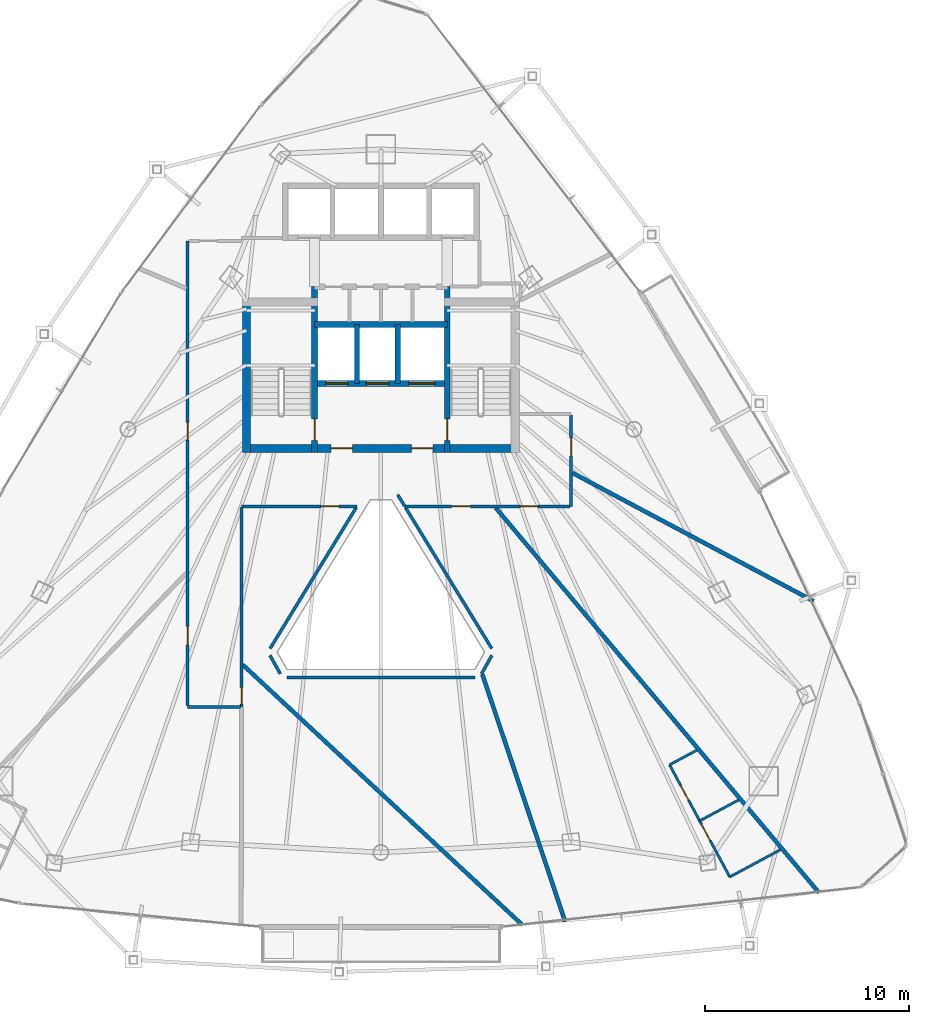
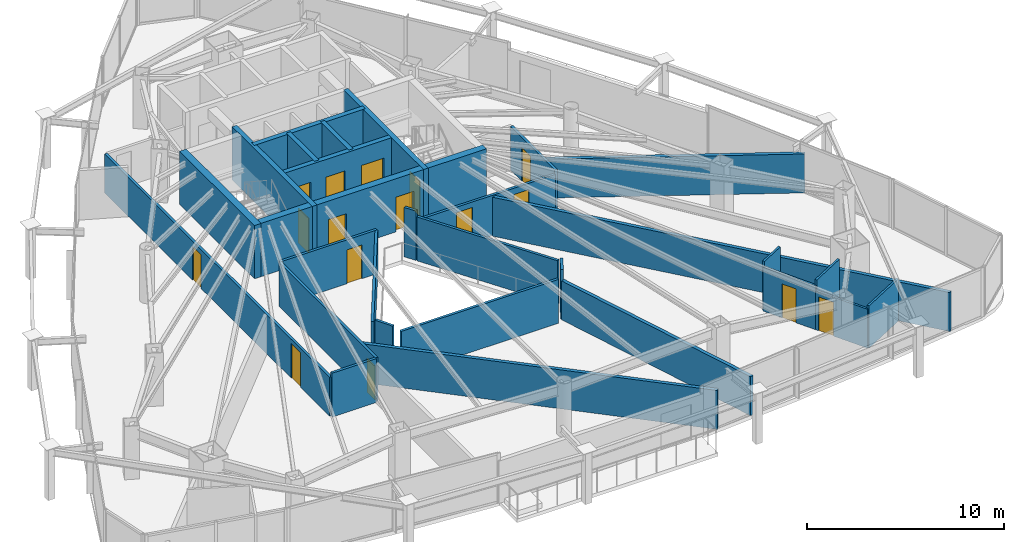
# One storey, part 27 of 31: 29 walls, 16 doors, 16 openings.
"""IFC4 building model written with IfcOpenShell, lengths in metres."""

from ifc_helpers import new_model, si_unit, direction, frame, frame_2d, origin, place, context, subcontext, project, spatial, rectangle, extrude, material, layer, layer_set, type_object, element, fill, save


model = new_model("IFC4")

# Units and contexts
model_context = context("Model", 3, precision=1e-05, world=origin(), true_north=direction((0.0, 1.0)))
body_context = subcontext(model_context, "Body", "Model", "MODEL_VIEW")
ifc_project = project(units=[si_unit("LENGTHUNIT", "METRE"), si_unit("AREAUNIT", "SQUARE_METRE"), si_unit("VOLUMEUNIT", "CUBIC_METRE"), si_unit("PLANEANGLEUNIT", "RADIAN"), si_unit("MASSUNIT", "GRAM", prefix="KILO")], contexts=[model_context])

# Site, building, storey
site_placement = place(None, origin())
site = spatial("IfcSite", under=ifc_project, at=site_placement, CompositionType="ELEMENT")
building_placement = place(site_placement, origin())
building = spatial("IfcBuilding", under=site, at=building_placement, Name="Orvanel Arch Residences", CompositionType="ELEMENT")
storey_placement = place(building_placement, frame((0.0, 0.0, 133.10009765625)))
storey = spatial("IfcBuildingStorey", under=building, at=storey_placement, Name="L37", CompositionType="ELEMENT", Elevation=133.10009765625)

# Walls
ifc_material_1 = material(Name="Concrete N50 (50 MPa)", Category="concrete")
ifc_layer_1 = layer(ifc_material_1, 0.25)
ifc_layer_set_1 = layer_set([ifc_layer_1], Name="Concrete N50 (50 MPa)")
wall_type_1 = type_object("IfcWallType", Name="SW-CORE-250", PredefinedType="SHEAR", material=ifc_layer_set_1)
for number, where, z_axis, x_axis, name in (
    (1, (31.824951171875, 29.889892578125, 0.0), (0.0, 0.0, 1.0), (0.0, 1.0, 0.0), "L37 Emergency Lift Inter-Shaft Wall F12"),
    (2, (33.824951171875, 29.889892578125, 0.0), (0.0, 0.0, 1.0), (0.0, 1.0, 0.0), "L37 Emergency Lift Inter-Shaft Wall F2G"),
):
    element("IfcWall", number, at=place(storey_placement, frame(where, z_axis=z_axis, x_axis=x_axis)), inside=storey, type_object=wall_type_1, Name=name, PredefinedType="SHEAR", context=body_context, shape_type="SweptSolid", body=[
        extrude(rectangle(XDim=2.900146484375, YDim=0.25, at=frame_2d((1.4501953125, 0.0))), origin(), (0.0, 0.0, 1.0), 3.2998046875),
    ])

# Wall, opening, door
ifc_material_2 = material(Name="Concrete S65 (65 MPa)", Category="concrete")
ifc_layer_2 = layer(ifc_material_2, 0.280029296875)
ifc_layer_set_2 = layer_set([ifc_layer_2], Name="Concrete S65 (65 MPa)")
wall_type_2 = type_object("IfcWallType", Name="SW-CORE-280", PredefinedType="SHEAR", material=ifc_layer_set_2)
wall_1_placement = place(storey_placement, frame((29.739990234375, 26.5, 0.0), z_axis=(0.0, 0.0, 1.0), x_axis=(0.0, 1.0, 0.0)))
wall_1 = element("IfcWall", 3, at=wall_1_placement, inside=storey, type_object=wall_type_2, Name="L37 West Inner Core Spine Shear Wall", PredefinedType="SHEAR", context=body_context, shape_type="SweptSolid", body=[
    extrude(rectangle(XDim=8.14990234375, YDim=0.280029296875, at=frame_2d((4.074951171875, 0.0))), origin(), (0.0, 0.0, 1.0), 3.2998046875),
])
opening_1_placement = place(wall_1_placement, frame((0.60009765625, 0.0, 0.0)))
opening_1 = element("IfcOpeningElement", 4, at=opening_1_placement, cuts=wall_1, Name="Opening DF-120", PredefinedType="OPENING", context=body_context, shape_type="SweptSolid", body=[
    extrude(rectangle(XDim=1.050048828125, YDim=2.14990234375, at=frame_2d((0.52490234375, 1.074951171875))), frame((0.0, 0.14990234375, 0.0), z_axis=(0.0, -1.0, 0.0), x_axis=(1.0, 0.0, 0.0)), (0.0, 0.0, 1.0), 0.300048828125),
])
ifc_material_3 = material(Name="Galvanised steel fire-resisting door assembly", Category="steel")
door_type_1 = type_object("IfcDoorType", Name="DR-FD120-1050", OperationType="NOTDEFINED", PredefinedType="DOOR", material=ifc_material_3)
door_1_placement = place(opening_1_placement, origin())
door_1 = element("IfcDoor", 5, at=door_1_placement, inside=storey, type_object=door_type_1, Name="DR-L37-ST1 L37 Stair 1 Fire Door", OperationType="SINGLE_SWING_LEFT", OverallHeight=2.14990234375, OverallWidth=1.050048828125, PredefinedType="DOOR", context=body_context, shape_type="SweptSolid", body=[
    extrude(rectangle(XDim=1.050048828125, YDim=2.14990234375, at=frame_2d((0.52490234375, 1.074951171875))), frame((0.0, 0.02490234375, 0.0), z_axis=(0.0, -1.0, 0.0), x_axis=(1.0, 0.0, 0.0)), (0.0, 0.0, 1.0), 0.050048828125),
])
fill(opening_1, door_1)

wall_2_placement = place(storey_placement, frame((36.260009765625, 26.5, 0.0), z_axis=(0.0, 0.0, 1.0), x_axis=(0.0, 1.0, 0.0)))
wall_2 = element("IfcWall", 6, at=wall_2_placement, inside=storey, type_object=wall_type_2, Name="L37 East Inner Core Spine Shear Wall", PredefinedType="SHEAR", context=body_context, shape_type="SweptSolid", body=[
    extrude(rectangle(XDim=8.14990234375, YDim=0.280029296875, at=frame_2d((4.074951171875, 0.0))), origin(), (0.0, 0.0, 1.0), 3.2998046875),
])
opening_2_placement = place(wall_2_placement, frame((0.60009765625, 0.0, 0.0)))
opening_2 = element("IfcOpeningElement", 7, at=opening_2_placement, cuts=wall_2, Name="Opening DF-120", PredefinedType="OPENING", context=body_context, shape_type="SweptSolid", body=[
    extrude(rectangle(XDim=1.050048828125, YDim=2.14990234375, at=frame_2d((0.52490234375, 1.074951171875))), frame((0.0, 0.14990234375, 0.0), z_axis=(0.0, -1.0, 0.0), x_axis=(1.0, 0.0, 0.0)), (0.0, 0.0, 1.0), 0.300048828125),
])
door_2_placement = place(opening_2_placement, origin())
door_2 = element("IfcDoor", 8, at=door_2_placement, inside=storey, type_object=door_type_1, Name="DR-L37-ST2 L37 Stair 2 Fire Door", OperationType="SINGLE_SWING_RIGHT", OverallHeight=2.14990234375, OverallWidth=1.050048828125, PredefinedType="DOOR", context=body_context, shape_type="SweptSolid", body=[
    extrude(rectangle(XDim=1.050048828125, YDim=2.14990234375, at=frame_2d((0.52490234375, 1.074951171875))), frame((0.0, 0.02490234375, 0.0), z_axis=(0.0, -1.0, 0.0), x_axis=(1.0, 0.0, 0.0)), (0.0, 0.0, 1.0), 0.050048828125),
])
fill(opening_2, door_2)

# Wall, openings, doors
wall_3_placement = place(storey_placement, frame((36.260009765625, 29.889892578125, 0.0), z_axis=(0.0, 0.0, 1.0), x_axis=(-1.0, 0.0, 0.0)))
wall_3 = element("IfcWall", 9, at=wall_3_placement, inside=storey, type_object=wall_type_2, Name="L37 Emergency Lift Front Core Shear Wall", PredefinedType="SHEAR", context=body_context, shape_type="SweptSolid", body=[
    extrude(rectangle(XDim=6.52001953125, YDim=0.280029296875, at=frame_2d((3.260009765625, 0.0))), origin(), (0.0, 0.0, 1.0), 3.2998046875),
])
opening_3_placement = place(wall_3_placement, frame((4.875, 0.0, 0.0)))
opening_3 = element("IfcOpeningElement", 10, at=opening_3_placement, cuts=wall_3, Name="Opening LD-110", PredefinedType="OPENING", context=body_context, shape_type="SweptSolid", body=[
    extrude(rectangle(XDim=1.10009765625, YDim=2.199951171875, at=frame_2d((0.550048828125, 1.10009765625))), frame((0.0, 0.14990234375, 0.0), z_axis=(0.0, -1.0, 0.0), x_axis=(1.0, 0.0, 0.0)), (0.0, 0.0, 1.0), 0.300048828125),
])
opening_4_placement = place(wall_3_placement, frame((2.875, 0.0, 0.0)))
opening_4 = element("IfcOpeningElement", 11, at=opening_4_placement, cuts=wall_3, Name="Opening LD-110", PredefinedType="OPENING", context=body_context, shape_type="SweptSolid", body=[
    extrude(rectangle(XDim=1.10009765625, YDim=2.199951171875, at=frame_2d((0.550048828125, 1.10009765625))), frame((0.0, 0.14990234375, 0.0), z_axis=(0.0, -1.0, 0.0), x_axis=(1.0, 0.0, 0.0)), (0.0, 0.0, 1.0), 0.300048828125),
])
opening_5_placement = place(wall_3_placement, frame((0.60009765625, 0.0, 0.0)))
opening_5 = element("IfcOpeningElement", 12, at=opening_5_placement, cuts=wall_3, Name="Opening LD-130", PredefinedType="OPENING", context=body_context, shape_type="SweptSolid", body=[
    extrude(rectangle(XDim=1.300048828125, YDim=2.199951171875, at=frame_2d((0.64990234375, 1.10009765625))), frame((0.0, 0.14990234375, 0.0), z_axis=(0.0, -1.0, 0.0), x_axis=(1.0, 0.0, 0.0)), (0.0, 0.0, 1.0), 0.300048828125),
])
door_type_2 = type_object("IfcDoorType", Name="DR-LFT-1100", OperationType="NOTDEFINED", PredefinedType="DOOR", material=ifc_material_3)
door_3_placement = place(opening_3_placement, origin())
door_3 = element("IfcDoor", 13, at=door_3_placement, inside=storey, type_object=door_type_2, Name="LD-F1-L37 L37 Lift F1 Sliding Landing Door", OperationType="DOUBLE_DOOR_SLIDING", OverallHeight=2.199951171875, OverallWidth=1.10009765625, PredefinedType="DOOR", context=body_context, shape_type="SweptSolid", body=[
    extrude(rectangle(XDim=1.10009765625, YDim=2.199951171875, at=frame_2d((0.550048828125, 1.10009765625))), frame((0.0, 0.02490234375, 0.0), z_axis=(0.0, -1.0, 0.0), x_axis=(1.0, 0.0, 0.0)), (0.0, 0.0, 1.0), 0.050048828125),
])
fill(opening_3, door_3)
door_4_placement = place(opening_4_placement, origin())
door_4 = element("IfcDoor", 14, at=door_4_placement, inside=storey, type_object=door_type_2, Name="LD-F2-L37 L37 Lift F2 Sliding Landing Door", OperationType="DOUBLE_DOOR_SLIDING", OverallHeight=2.199951171875, OverallWidth=1.10009765625, PredefinedType="DOOR", context=body_context, shape_type="SweptSolid", body=[
    extrude(rectangle(XDim=1.10009765625, YDim=2.199951171875, at=frame_2d((0.550048828125, 1.10009765625))), frame((0.0, 0.02490234375, 0.0), z_axis=(0.0, -1.0, 0.0), x_axis=(1.0, 0.0, 0.0)), (0.0, 0.0, 1.0), 0.050048828125),
])
fill(opening_4, door_4)
door_type_3 = type_object("IfcDoorType", Name="DR-LFT-1300", OperationType="NOTDEFINED", PredefinedType="DOOR", material=ifc_material_3)
door_5_placement = place(opening_5_placement, origin())
door_5 = element("IfcDoor", 15, at=door_5_placement, inside=storey, type_object=door_type_3, Name="LD-G1-L37 L37 Lift G1 Sliding Landing Door", OperationType="DOUBLE_DOOR_SLIDING", OverallHeight=2.199951171875, OverallWidth=1.300048828125, PredefinedType="DOOR", context=body_context, shape_type="SweptSolid", body=[
    extrude(rectangle(XDim=1.300048828125, YDim=2.199951171875, at=frame_2d((0.64990234375, 1.10009765625))), frame((0.0, 0.02490234375, 0.0), z_axis=(0.0, -1.0, 0.0), x_axis=(1.0, 0.0, 0.0)), (0.0, 0.0, 1.0), 0.050048828125),
])
fill(opening_5, door_5)

# Wall
wall_4_placement = place(storey_placement, frame((29.739990234375, 32.7900390625, 0.0), z_axis=(0.0, 0.0, 1.0), x_axis=(1.0, 0.0, 0.0)))
element("IfcWall", 16, at=wall_4_placement, inside=storey, type_object=wall_type_2, Name="L37 Emergency Lift Back Core Shear Wall", PredefinedType="SHEAR", context=body_context, shape_type="SweptSolid", body=[
    extrude(rectangle(XDim=6.52001953125, YDim=0.280029296875, at=frame_2d((3.260009765625, 0.0))), origin(), (0.0, 0.0, 1.0), 3.2998046875),
])

# Wall, openings, doors
ifc_layer_3 = layer(ifc_material_2, 0.39990234375)
ifc_layer_set_3 = layer_set([ifc_layer_3], Name="Concrete S65 (65 MPa)")
wall_type_3 = type_object("IfcWallType", Name="SW-CORE-400", PredefinedType="SHEAR", material=ifc_layer_set_3)
wall_5_placement = place(storey_placement, frame((26.199951171875, 26.699951171875, 0.0), z_axis=(0.0, 0.0, 1.0), x_axis=(1.0, 0.0, 0.0)))
wall_5 = element("IfcWall", 17, at=wall_5_placement, inside=storey, type_object=wall_type_3, Name="L37 South Core Shear Wall", PredefinedType="SHEAR", context=body_context, shape_type="SweptSolid", body=[
    extrude(rectangle(XDim=13.60009765625, YDim=0.39990234375, at=frame_2d((6.800048828125, 0.0))), origin(), (0.0, 0.0, 1.0), 3.2998046875),
])
opening_6_placement = place(wall_5_placement, frame((4.35009765625, 0.0, 0.0)))
opening_6 = element("IfcOpeningElement", 18, at=opening_6_placement, cuts=wall_5, Name="Opening DF-060", PredefinedType="OPENING", context=body_context, shape_type="SweptSolid", body=[
    extrude(rectangle(XDim=1.050048828125, YDim=2.14990234375, at=frame_2d((0.52490234375, 1.074951171875))), frame((0.0, 0.2099609375, 0.0), z_axis=(0.0, -1.0, 0.0), x_axis=(1.0, 0.0, 0.0)), (0.0, 0.0, 1.0), 0.419921875),
])
opening_7_placement = place(wall_5_placement, frame((8.300048828125, 0.0, 0.0)))
opening_7 = element("IfcOpeningElement", 19, at=opening_7_placement, cuts=wall_5, Name="Opening DF-060", PredefinedType="OPENING", context=body_context, shape_type="SweptSolid", body=[
    extrude(rectangle(XDim=1.050048828125, YDim=2.14990234375, at=frame_2d((0.52490234375, 1.074951171875))), frame((0.0, 0.2099609375, 0.0), z_axis=(0.0, -1.0, 0.0), x_axis=(1.0, 0.0, 0.0)), (0.0, 0.0, 1.0), 0.419921875),
])
door_type_4 = type_object("IfcDoorType", Name="DR-FD60-1050", OperationType="NOTDEFINED", PredefinedType="DOOR", material=ifc_material_3)
door_6_placement = place(opening_6_placement, origin())
door_6 = element("IfcDoor", 20, at=door_6_placement, inside=storey, type_object=door_type_4, Name="DR-L37-FFL-W L37 West Smoke Lobby Door", OperationType="SINGLE_SWING_LEFT", OverallHeight=2.14990234375, OverallWidth=1.050048828125, PredefinedType="DOOR", context=body_context, shape_type="SweptSolid", body=[
    extrude(rectangle(XDim=1.050048828125, YDim=2.14990234375, at=frame_2d((0.52490234375, 1.074951171875))), frame((0.0, 0.02490234375, 0.0), z_axis=(0.0, -1.0, 0.0), x_axis=(1.0, 0.0, 0.0)), (0.0, 0.0, 1.0), 0.050048828125),
])
fill(opening_6, door_6)
door_7_placement = place(opening_7_placement, origin())
door_7 = element("IfcDoor", 21, at=door_7_placement, inside=storey, type_object=door_type_4, Name="DR-L37-FFL-E L37 East Smoke Lobby Door", OperationType="SINGLE_SWING_RIGHT", OverallHeight=2.14990234375, OverallWidth=1.050048828125, PredefinedType="DOOR", context=body_context, shape_type="SweptSolid", body=[
    extrude(rectangle(XDim=1.050048828125, YDim=2.14990234375, at=frame_2d((0.52490234375, 1.074951171875))), frame((0.0, 0.02490234375, 0.0), z_axis=(0.0, -1.0, 0.0), x_axis=(1.0, 0.0, 0.0)), (0.0, 0.0, 1.0), 0.050048828125),
])
fill(opening_7, door_7)

# Wall
wall_6_placement = place(storey_placement, frame((26.39990234375, 26.5, 0.0), z_axis=(0.0, 0.0, 1.0), x_axis=(0.0, 1.0, 0.0)))
element("IfcWall", 22, at=wall_6_placement, inside=storey, type_object=wall_type_3, Name="L37 West Stair Shear Wall", PredefinedType="SHEAR", context=body_context, shape_type="SweptSolid", body=[
    extrude(rectangle(XDim=7.60009765625, YDim=0.39990234375, at=frame_2d((3.800048828125, 0.0))), origin(), (0.0, 0.0, 1.0), 3.2998046875),
])

# Wall, opening, door
ifc_material_4 = material(Name="Fire-rated plasterboard lined steel stud partition", Category="steel")
ifc_layer_4 = layer(ifc_material_4, 0.14990234375)
ifc_layer_set_4 = layer_set([ifc_layer_4], Name="Fire-rated plasterboard lined steel stud partition")
wall_type_4 = type_object("IfcWallType", Name="W-COR-150", PredefinedType="PARTITIONING", material=ifc_layer_set_4)
wall_7_placement = place(storey_placement, frame((31.821044921875, 23.85009765625, 0.0), z_axis=(0.0, 0.0, 1.0), x_axis=(-1.0, 0.0, 0.0)))
wall_7 = element("IfcWall", 23, at=wall_7_placement, inside=storey, type_object=wall_type_4, Name="L37 Corridor Fire-Rated Partition", PredefinedType="PARTITIONING", context=body_context, shape_type="SweptSolid", body=[
    extrude(rectangle(XDim=5.671142578125, YDim=0.14990234375, at=frame_2d((2.83544921875, 0.0))), origin(), (0.0, 0.0, 1.0), 2.720947265625),
])
opening_8_placement = place(wall_7_placement, frame((0.8798828125, 0.0, 0.0)))
opening_8 = element("IfcOpeningElement", 24, at=opening_8_placement, cuts=wall_7, Name="Opening DI-088", PredefinedType="OPENING", context=body_context, shape_type="SweptSolid", body=[
    extrude(rectangle(XDim=0.8798828125, YDim=2.10009765625, at=frame_2d((0.43994140625, 1.050048828125))), frame((0.0, 0.0849609375, 0.0), z_axis=(0.0, -1.0, 0.0), x_axis=(1.0, 0.0, 0.0)), (0.0, 0.0, 1.0), 0.169921875),
])
ifc_material_5 = material(Name="Solid-core European oak veneer fire door leaf", Category="wood")
door_type_5 = type_object("IfcDoorType", Name="DR-INT-880", OperationType="NOTDEFINED", PredefinedType="DOOR", material=ifc_material_5)
door_8_placement = place(opening_8_placement, origin())
door_8 = element("IfcDoor", 25, at=door_8_placement, inside=storey, type_object=door_type_5, Name="DR-L37-SHRD-FB5 L37 Co-Working Study Office E Door", OperationType="SINGLE_SWING_LEFT", OverallHeight=2.10009765625, OverallWidth=0.8798828125, PredefinedType="DOOR", context=body_context, shape_type="SweptSolid", body=[
    extrude(rectangle(XDim=0.8798828125, YDim=2.10009765625, at=frame_2d((0.43994140625, 1.050048828125))), frame((0.0, 0.02490234375, 0.0), z_axis=(0.0, -1.0, 0.0), x_axis=(1.0, 0.0, 0.0)), (0.0, 0.0, 1.0), 0.050048828125),
])
fill(opening_8, door_8)

wall_8_placement = place(storey_placement, frame((26.14990234375, 23.7900390625, 0.0), z_axis=(0.0, 0.0, 1.0), x_axis=(0.0, -1.0, 0.0)))
wall_8 = element("IfcWall", 26, at=wall_8_placement, inside=storey, type_object=wall_type_4, Name="L37 Corridor Fire-Rated Partition", PredefinedType="PARTITIONING", context=body_context, shape_type="SweptSolid", body=[
    extrude(rectangle(XDim=9.7900390625, YDim=0.14990234375, at=frame_2d((4.89501953125, 0.0))), origin(), (0.0, 0.0, 1.0), 2.720947265625),
])
opening_9_placement = place(wall_8_placement, frame((8.830078125, 0.0, 0.0)))
opening_9 = element("IfcOpeningElement", 27, at=opening_9_placement, cuts=wall_8, Name="Opening DW-082", PredefinedType="OPENING", context=body_context, shape_type="SweptSolid", body=[
    extrude(rectangle(XDim=0.820068359375, YDim=2.10009765625, at=frame_2d((0.41015625, 1.050048828125))), frame((0.0, 0.0849609375, 0.0), z_axis=(0.0, -1.0, 0.0), x_axis=(1.0, 0.0, 0.0)), (0.0, 0.0, 1.0), 0.169921875),
])
door_type_6 = type_object("IfcDoorType", Name="DR-WET-820", OperationType="NOTDEFINED", PredefinedType="DOOR", material=ifc_material_5)
door_9_placement = place(opening_9_placement, origin())
door_9 = element("IfcDoor", 28, at=door_9_placement, inside=storey, type_object=door_type_6, Name="DR-L37-SHRD-FB6 L37 Co-Working Study Office F Door", OperationType="SINGLE_SWING_LEFT", OverallHeight=2.10009765625, OverallWidth=0.820068359375, PredefinedType="DOOR", context=body_context, shape_type="SweptSolid", body=[
    extrude(rectangle(XDim=0.820068359375, YDim=2.10009765625, at=frame_2d((0.41015625, 1.050048828125))), frame((0.0, 0.02490234375, 0.0), z_axis=(0.0, -1.0, 0.0), x_axis=(1.0, 0.0, 0.0)), (0.0, 0.0, 1.0), 0.050048828125),
])
fill(opening_9, door_9)

# Wall
wall_9_placement = place(storey_placement, frame((26.090087890625, 14.0, 0.0), z_axis=(0.0, 0.0, 1.0), x_axis=(-1.0, 0.0, 0.0)))
element("IfcWall", 29, at=wall_9_placement, inside=storey, type_object=wall_type_4, Name="L37 Corridor Fire-Rated Partition", PredefinedType="PARTITIONING", context=body_context, shape_type="SweptSolid", body=[
    extrude(rectangle(XDim=2.590087890625, YDim=0.14990234375, at=frame_2d((1.294921875, 0.0))), origin(), (0.0, 0.0, 1.0), 2.720947265625),
])

# Wall, openings, doors
wall_10_placement = place(storey_placement, frame((23.5, 14.06005859375, 0.0), z_axis=(0.0, 0.0, 1.0), x_axis=(0.0, 1.0, 0.0)))
wall_10 = element("IfcWall", 30, at=wall_10_placement, inside=storey, type_object=wall_type_4, Name="L37 Corridor Fire-Rated Partition", PredefinedType="PARTITIONING", context=body_context, shape_type="SweptSolid", body=[
    extrude(rectangle(XDim=22.83984375, YDim=0.14990234375, at=frame_2d((11.419921875, 0.0))), origin(), (0.0, 0.0, 1.0), 2.412841796875),
])
opening_10_placement = place(wall_10_placement, frame((13.044921875, 0.0, 0.0)))
opening_10 = element("IfcOpeningElement", 31, at=opening_10_placement, cuts=wall_10, Name="Opening DI-088", PredefinedType="OPENING", context=body_context, shape_type="SweptSolid", body=[
    extrude(rectangle(XDim=0.8798828125, YDim=2.10009765625, at=frame_2d((0.43994140625, 1.050048828125))), frame((0.0, 0.0849609375, 0.0), z_axis=(0.0, -1.0, 0.0), x_axis=(1.0, 0.0, 0.0)), (0.0, 0.0, 1.0), 0.169921875),
])
opening_11_placement = place(wall_10_placement, frame((2.97705078125, 0.0, 0.0)))
opening_11 = element("IfcOpeningElement", 32, at=opening_11_placement, cuts=wall_10, Name="Opening DA-092", PredefinedType="OPENING", context=body_context, shape_type="SweptSolid", body=[
    extrude(rectangle(XDim=0.919921875, YDim=2.14990234375, at=frame_2d((0.4599609375, 1.074951171875))), frame((0.0, 0.0849609375, 0.0), z_axis=(0.0, -1.0, 0.0), x_axis=(1.0, 0.0, 0.0)), (0.0, 0.0, 1.0), 0.169921875),
])
door_type_7 = type_object("IfcDoorType", Name="DR-APT-920", OperationType="NOTDEFINED", PredefinedType="DOOR", material=ifc_material_5)
door_10_placement = place(opening_11_placement, origin())
door_10 = element("IfcDoor", 33, at=door_10_placement, inside=storey, type_object=door_type_7, Name="DR-L37-B-ENT L37 Studio B Entrance Door", OperationType="SINGLE_SWING_LEFT", OverallHeight=2.14990234375, OverallWidth=0.919921875, PredefinedType="DOOR", context=body_context, shape_type="SweptSolid", body=[
    extrude(rectangle(XDim=0.919921875, YDim=2.14990234375, at=frame_2d((0.4599609375, 1.074951171875))), frame((0.0, 0.02490234375, 0.0), z_axis=(0.0, -1.0, 0.0), x_axis=(1.0, 0.0, 0.0)), (0.0, 0.0, 1.0), 0.050048828125),
])
fill(opening_11, door_10)
door_11_placement = place(opening_10_placement, origin())
door_11 = element("IfcDoor", 34, at=door_11_placement, inside=storey, type_object=door_type_5, Name="DR-L37-RET35-1 L37 Boutique Showroom 1 Door", OperationType="SINGLE_SWING_LEFT", OverallHeight=2.10009765625, OverallWidth=0.8798828125, PredefinedType="DOOR", context=body_context, shape_type="SweptSolid", body=[
    extrude(rectangle(XDim=0.8798828125, YDim=2.10009765625, at=frame_2d((0.43994140625, 1.050048828125))), frame((0.0, 0.02490234375, 0.0), z_axis=(0.0, -1.0, 0.0), x_axis=(1.0, 0.0, 0.0)), (0.0, 0.0, 1.0), 0.050048828125),
])
fill(opening_10, door_11)

# Wall, opening, door
wall_11_placement = place(storey_placement, frame((42.35009765625, 28.340087890625, 0.0), z_axis=(0.0, 0.0, 1.0), x_axis=(0.0, -1.0, 0.0)))
wall_11 = element("IfcWall", 35, at=wall_11_placement, inside=storey, type_object=wall_type_4, Name="L37 Corridor Fire-Rated Partition", PredefinedType="PARTITIONING", context=body_context, shape_type="SweptSolid", body=[
    extrude(rectangle(XDim=4.489990234375, YDim=0.14990234375, at=frame_2d((2.2451171875, 0.0))), origin(), (0.0, 0.0, 1.0), 2.720947265625),
])
opening_12_placement = place(wall_11_placement, frame((1.1298828125, 0.0, 0.0)))
opening_12 = element("IfcOpeningElement", 36, at=opening_12_placement, cuts=wall_11, Name="Opening DI-088", PredefinedType="OPENING", context=body_context, shape_type="SweptSolid", body=[
    extrude(rectangle(XDim=0.8798828125, YDim=2.10009765625, at=frame_2d((0.43994140625, 1.050048828125))), frame((0.0, 0.0849609375, 0.0), z_axis=(0.0, -1.0, 0.0), x_axis=(1.0, 0.0, 0.0)), (0.0, 0.0, 1.0), 0.169921875),
])
door_12_placement = place(opening_12_placement, origin())
door_12 = element("IfcDoor", 37, at=door_12_placement, inside=storey, type_object=door_type_5, Name="DR-L37-SHRD-FB4 L37 Co-Working Study Office D Door", OperationType="SINGLE_SWING_LEFT", OverallHeight=2.10009765625, OverallWidth=0.8798828125, PredefinedType="DOOR", context=body_context, shape_type="SweptSolid", body=[
    extrude(rectangle(XDim=0.8798828125, YDim=2.10009765625, at=frame_2d((0.43994140625, 1.050048828125))), frame((0.0, 0.02490234375, 0.0), z_axis=(0.0, -1.0, 0.0), x_axis=(1.0, 0.0, 0.0)), (0.0, 0.0, 1.0), 0.050048828125),
])
fill(opening_12, door_12)

# Wall, openings, doors
wall_12_placement = place(storey_placement, frame((42.2900390625, 23.85009765625, 0.0), z_axis=(0.0, 0.0, 1.0), x_axis=(-1.0, 0.0, 0.0)))
wall_12 = element("IfcWall", 38, at=wall_12_placement, inside=storey, type_object=wall_type_4, Name="L37 Corridor Fire-Rated Partition", PredefinedType="PARTITIONING", context=body_context, shape_type="SweptSolid", body=[
    extrude(rectangle(XDim=8.111083984375, YDim=0.14990234375, at=frame_2d((4.0556640625, 0.0))), origin(), (0.0, 0.0, 1.0), 2.491943359375),
])
opening_13_placement = place(wall_12_placement, frame((1.56298828125, 0.0, 0.0)))
opening_13 = element("IfcOpeningElement", 39, at=opening_13_placement, cuts=wall_12, Name="Opening DI-088", PredefinedType="OPENING", context=body_context, shape_type="SweptSolid", body=[
    extrude(rectangle(XDim=0.8798828125, YDim=2.10009765625, at=frame_2d((0.43994140625, 1.050048828125))), frame((0.0, 0.0849609375, 0.0), z_axis=(0.0, -1.0, 0.0), x_axis=(1.0, 0.0, 0.0)), (0.0, 0.0, 1.0), 0.169921875),
])
opening_14_placement = place(wall_12_placement, frame((4.89208984375, 0.0, 0.0)))
opening_14 = element("IfcOpeningElement", 40, at=opening_14_placement, cuts=wall_12, Name="Opening DA-092", PredefinedType="OPENING", context=body_context, shape_type="SweptSolid", body=[
    extrude(rectangle(XDim=0.919921875, YDim=2.14990234375, at=frame_2d((0.4599609375, 1.074951171875))), frame((0.0, 0.0849609375, 0.0), z_axis=(0.0, -1.0, 0.0), x_axis=(1.0, 0.0, 0.0)), (0.0, 0.0, 1.0), 0.169921875),
])
door_13_placement = place(opening_14_placement, origin())
door_13 = element("IfcDoor", 41, at=door_13_placement, inside=storey, type_object=door_type_7, Name="DR-L37-A-ENT L37 Studio A Entrance Door", OperationType="SINGLE_SWING_RIGHT", OverallHeight=2.14990234375, OverallWidth=0.919921875, PredefinedType="DOOR", context=body_context, shape_type="SweptSolid", body=[
    extrude(rectangle(XDim=0.919921875, YDim=2.14990234375, at=frame_2d((0.4599609375, 1.074951171875))), frame((0.0, 0.02490234375, 0.0), z_axis=(0.0, -1.0, 0.0), x_axis=(1.0, 0.0, 0.0)), (0.0, 0.0, 1.0), 0.050048828125),
])
fill(opening_14, door_13)
door_14_placement = place(opening_13_placement, origin())
door_14 = element("IfcDoor", 42, at=door_14_placement, inside=storey, type_object=door_type_5, Name="DR-L37-RET35-2 L37 Boutique Showroom 2 Door", OperationType="SINGLE_SWING_LEFT", OverallHeight=2.10009765625, OverallWidth=0.8798828125, PredefinedType="DOOR", context=body_context, shape_type="SweptSolid", body=[
    extrude(rectangle(XDim=0.8798828125, YDim=2.10009765625, at=frame_2d((0.43994140625, 1.050048828125))), frame((0.0, 0.02490234375, 0.0), z_axis=(0.0, -1.0, 0.0), x_axis=(1.0, 0.0, 0.0)), (0.0, 0.0, 1.0), 0.050048828125),
])
fill(opening_13, door_14)

# Walls
wall_13_placement = place(storey_placement, frame((34.178955078125, 23.85009765625, 0.0), z_axis=(0.0, 0.0, 1.0), x_axis=(-0.527828834635, 0.849350764601, 0.0)))
element("IfcWall", 43, at=wall_13_placement, inside=storey, type_object=wall_type_4, Name="L37 Corridor Fire-Rated Partition", PredefinedType="PARTITIONING", context=body_context, shape_type="SweptSolid", body=[
    extrude(rectangle(XDim=0.677978515625, YDim=0.14990234375, at=frame_2d((0.3388671875, 0.0))), origin(), (0.0, 0.0, 1.0), 3.059814453125),
])
wall_14_placement = place(storey_placement, frame((34.2099609375, 23.7900390625, 0.0), z_axis=(0.0, 0.0, 1.0), x_axis=(0.521925672495, -0.852990968528, 0.0)))
element("IfcWall", 44, at=wall_14_placement, inside=storey, type_object=wall_type_4, Name="L37 Atrium Overlook Glazed Partition", PredefinedType="PARTITIONING", context=body_context, shape_type="SweptSolid", body=[
    extrude(rectangle(XDim=8.1162109375, YDim=0.14990234375, at=frame_2d((4.05810546875, 0.0))), origin(), (0.0, 0.0, 1.0), 2.720947265625),
])
wall_15_placement = place(storey_placement, frame((38.451904296875, 16.531005859375, 0.0), z_axis=(0.0, 0.0, 1.0), x_axis=(-0.488539276118, -0.872541904833, 0.0)))
element("IfcWall", 45, at=wall_15_placement, inside=storey, type_object=wall_type_4, Name="L37 Atrium Overlook Glazed Partition", PredefinedType="PARTITIONING", context=body_context, shape_type="SweptSolid", body=[
    extrude(rectangle(XDim=1.0439453125, YDim=0.14990234375, at=frame_2d((0.52197265625, 0.0))), origin(), (0.0, 0.0, 1.0), 3.059814453125),
])
wall_16_placement = place(storey_placement, frame((37.614013671875, 15.448974609375, 0.0), z_axis=(0.0, 0.0, 1.0), x_axis=(-1.0, 0.0, 0.0)))
element("IfcWall", 46, at=wall_16_placement, inside=storey, type_object=wall_type_4, Name="L37 Atrium Overlook Glazed Partition", PredefinedType="PARTITIONING", context=body_context, shape_type="SweptSolid", body=[
    extrude(rectangle(XDim=9.22802734375, YDim=0.14990234375, at=frame_2d((4.614013671875, 0.0))), origin(), (0.0, 0.0, 1.0), 2.720947265625),
])
wall_17_placement = place(storey_placement, frame((28.05810546875, 15.6201171875, 0.0), z_axis=(0.0, 0.0, 1.0), x_axis=(-0.488539276118, 0.872541904833, 0.0)))
element("IfcWall", 47, at=wall_17_placement, inside=storey, type_object=wall_type_4, Name="L37 Atrium Overlook Glazed Partition", PredefinedType="PARTITIONING", context=body_context, shape_type="SweptSolid", body=[
    extrude(rectangle(XDim=1.0439453125, YDim=0.14990234375, at=frame_2d((0.52197265625, 0.0))), origin(), (0.0, 0.0, 1.0), 3.059814453125),
])
wall_18_placement = place(storey_placement, frame((27.553955078125, 16.866943359375, 0.0), z_axis=(0.0, 0.0, 1.0), x_axis=(0.521378191963, 0.853325717968, 0.0)))
element("IfcWall", 48, at=wall_18_placement, inside=storey, type_object=wall_type_4, Name="L37 Atrium Overlook Glazed Partition", PredefinedType="PARTITIONING", context=body_context, shape_type="SweptSolid", body=[
    extrude(rectangle(XDim=8.113037109375, YDim=0.14990234375, at=frame_2d((4.056640625, 0.0))), origin(), (0.0, 0.0, 1.0), 2.720947265625),
])
ifc_layer_5 = layer(ifc_material_4, 0.199951171875)
ifc_layer_set_5 = layer_set([ifc_layer_5], Name="Fire-rated plasterboard lined steel stud partition")
wall_type_5 = type_object("IfcWallType", Name="W-DEM-200", PredefinedType="PARTITIONING", material=ifc_layer_set_5)
wall_19_placement = place(storey_placement, frame((54.52587890625, 4.866943359375, 0.0), z_axis=(0.0, 0.0, 1.0), x_axis=(-0.643084567011, 0.765795168222, 0.0)))
element("IfcWall", 49, at=wall_19_placement, inside=storey, type_object=wall_type_5, Name="L37 Inter-Tenancy Acoustic Demising Wall", PredefinedType="PARTITIONING", context=body_context, shape_type="SweptSolid", body=[
    extrude(rectangle(XDim=24.71044921875, YDim=0.199951171875, at=frame_2d((12.355224609375, 0.0))), origin(), (0.0, 0.0, 1.0), 2.412841796875),
])
wall_20_placement = place(storey_placement, frame((42.409912109375, 25.4970703125, 0.0), z_axis=(0.0, 0.0, 1.0), x_axis=(0.882944726502, -0.46947695358, 0.0)))
element("IfcWall", 50, at=wall_20_placement, inside=storey, type_object=wall_type_5, Name="L37 Inter-Tenancy Acoustic Demising Wall", PredefinedType="PARTITIONING", context=body_context, shape_type="SweptSolid", body=[
    extrude(rectangle(XDim=13.425537109375, YDim=0.199951171875, at=frame_2d((6.712890625, 0.0))), origin(), (0.0, 0.0, 1.0), 2.412841796875),
])
wall_21_placement = place(storey_placement, frame((42.052978515625, 3.444091796875, 0.0), z_axis=(0.0, 0.0, 1.0), x_axis=(-0.317325063931, 0.948316826699, 0.0)))
element("IfcWall", 51, at=wall_21_placement, inside=storey, type_object=wall_type_5, Name="L37 Inter-Tenancy Acoustic Demising Wall", PredefinedType="PARTITIONING", context=body_context, shape_type="SweptSolid", body=[
    extrude(rectangle(XDim=12.81298828125, YDim=0.199951171875, at=frame_2d((6.406494140625, 0.0))), origin(), (0.0, 0.0, 1.0), 2.412841796875),
])
wall_22_placement = place(storey_placement, frame((39.9580078125, 3.278076171875, 0.0), z_axis=(0.0, 0.0, 1.0), x_axis=(-0.732155976475, 0.681137009795, 0.0)))
element("IfcWall", 52, at=wall_22_placement, inside=storey, type_object=wall_type_5, Name="L37 Inter-Tenancy Acoustic Demising Wall", PredefinedType="PARTITIONING", context=body_context, shape_type="SweptSolid", body=[
    extrude(rectangle(XDim=18.777587890625, YDim=0.199951171875, at=frame_2d((9.388671875, 0.0))), origin(), (0.0, 0.0, 1.0), 2.412841796875),
])
ifc_material_6 = material(Name="Acoustic plasterboard lined twin-stud partition", Category="gypsum")
ifc_layer_6 = layer(ifc_material_6, 0.1201171875)
ifc_layer_set_6 = layer_set([ifc_layer_6], Name="Acoustic plasterboard lined twin-stud partition")
wall_type_6 = type_object("IfcWallType", Name="W-WET-120", PredefinedType="PARTITIONING", material=ifc_layer_set_6)
wall_23_placement = place(storey_placement, frame((48.530029296875, 11.875, 0.0), z_axis=(0.0, 0.0, 1.0), x_axis=(-0.881239847135, -0.472669368398, 0.0)))
element("IfcWall", 53, at=wall_23_placement, inside=storey, type_object=wall_type_6, Name="L37 Studio A Bathroom Partition", PredefinedType="PARTITIONING", context=body_context, shape_type="SweptSolid", body=[
    extrude(rectangle(XDim=1.52734375, YDim=0.1201171875, at=frame_2d((0.763671875, 0.0))), origin(), (0.0, 0.0, 1.0), 3.059814453125),
])

# Wall, opening, door
wall_24_placement = place(storey_placement, frame((47.18408203125, 11.153076171875, 0.0), z_axis=(0.0, 0.0, 1.0), x_axis=(0.472734891499, -0.881204699465, 0.0)))
wall_24 = element("IfcWall", 54, at=wall_24_placement, inside=storey, type_object=wall_type_6, Name="L37 Studio A Bathroom Partition", PredefinedType="PARTITIONING", context=body_context, shape_type="SweptSolid", body=[
    extrude(rectangle(XDim=3.12646484375, YDim=0.1201171875, at=frame_2d((1.563232421875, 0.0))), origin(), (0.0, 0.0, 1.0), 2.720947265625),
])
opening_15_placement = place(wall_24_placement, frame((1.153076171875, 0.0, 0.0)))
opening_15 = element("IfcOpeningElement", 55, at=opening_15_placement, cuts=wall_24, Name="Opening DW-082", PredefinedType="OPENING", context=body_context, shape_type="SweptSolid", body=[
    extrude(rectangle(XDim=0.820068359375, YDim=2.10009765625, at=frame_2d((0.41015625, 1.050048828125))), frame((0.0, 0.070068359375, 0.0), z_axis=(0.0, -1.0, 0.0), x_axis=(1.0, 0.0, 0.0)), (0.0, 0.0, 1.0), 0.14013671875),
])
door_15_placement = place(opening_15_placement, origin())
door_15 = element("IfcDoor", 56, at=door_15_placement, inside=storey, type_object=door_type_6, Name="DR-L37-A-BATH L37 Studio A Bathroom Door", OperationType="SINGLE_SWING_RIGHT", OverallHeight=2.10009765625, OverallWidth=0.820068359375, PredefinedType="DOOR", context=body_context, shape_type="SweptSolid", body=[
    extrude(rectangle(XDim=0.820068359375, YDim=2.10009765625, at=frame_2d((0.41015625, 1.050048828125))), frame((0.0, 0.02490234375, 0.0), z_axis=(0.0, -1.0, 0.0), x_axis=(1.0, 0.0, 0.0)), (0.0, 0.0, 1.0), 0.050048828125),
])
fill(opening_15, door_15)

wall_25_placement = place(storey_placement, frame((48.662109375, 8.39794921875, 0.0), z_axis=(0.0, 0.0, 1.0), x_axis=(0.472706781447, -0.881219778928, 0.0)))
wall_25 = element("IfcWall", 57, at=wall_25_placement, inside=storey, type_object=wall_type_6, Name="L37 Studio A Internal Partition", PredefinedType="PARTITIONING", context=body_context, shape_type="SweptSolid", body=[
    extrude(rectangle(XDim=3.126220703125, YDim=0.1201171875, at=frame_2d((1.56298828125, 0.0))), origin(), (0.0, 0.0, 1.0), 2.412841796875),
])
opening_16_placement = place(wall_25_placement, frame((0.199951171875, 0.0, 0.0)))
opening_16 = element("IfcOpeningElement", 58, at=opening_16_placement, cuts=wall_25, Name="Opening DI-088", PredefinedType="OPENING", context=body_context, shape_type="SweptSolid", body=[
    extrude(rectangle(XDim=0.8798828125, YDim=2.10009765625, at=frame_2d((0.43994140625, 1.050048828125))), frame((0.0, 0.070068359375, 0.0), z_axis=(0.0, -1.0, 0.0), x_axis=(1.0, 0.0, 0.0)), (0.0, 0.0, 1.0), 0.14013671875),
])
door_16_placement = place(opening_16_placement, origin())
door_16 = element("IfcDoor", 59, at=door_16_placement, inside=storey, type_object=door_type_5, Name="DR-L37-A-KIT L37 Studio A Kitchenette Door", OperationType="SINGLE_SWING_LEFT", OverallHeight=2.10009765625, OverallWidth=0.8798828125, PredefinedType="DOOR", context=body_context, shape_type="SweptSolid", body=[
    extrude(rectangle(XDim=0.8798828125, YDim=2.10009765625, at=frame_2d((0.43994140625, 1.050048828125))), frame((0.0, 0.02490234375, 0.0), z_axis=(0.0, -1.0, 0.0), x_axis=(1.0, 0.0, 0.0)), (0.0, 0.0, 1.0), 0.050048828125),
])
fill(opening_16, door_16)

# Walls
wall_26_placement = place(storey_placement, frame((50.139892578125, 5.64306640625, 0.0), z_axis=(0.0, 0.0, 1.0), x_axis=(0.881244272045, 0.472661118548, 0.0)))
element("IfcWall", 60, at=wall_26_placement, inside=storey, type_object=wall_type_6, Name="L37 Studio A Internal Partition", PredefinedType="PARTITIONING", context=body_context, shape_type="SweptSolid", body=[
    extrude(rectangle(XDim=2.834716796875, YDim=0.1201171875, at=frame_2d((1.41748046875, 0.0))), origin(), (0.0, 0.0, 1.0), 2.618896484375),
])
wall_27_placement = place(storey_placement, frame((50.583984375, 9.428955078125, 0.0), z_axis=(0.0, 0.0, 1.0), x_axis=(-0.88120690194, -0.472730785937, 0.0)))
element("IfcWall", 61, at=wall_27_placement, inside=storey, type_object=wall_type_6, Name="L37 Studio A Bathroom Partition", PredefinedType="PARTITIONING", context=body_context, shape_type="SweptSolid", body=[
    extrude(rectangle(XDim=2.180908203125, YDim=0.1201171875, at=frame_2d((1.09033203125, 0.0))), origin(), (0.0, 0.0, 1.0), 3.059814453125),
])

save(model, "model.ifc")
